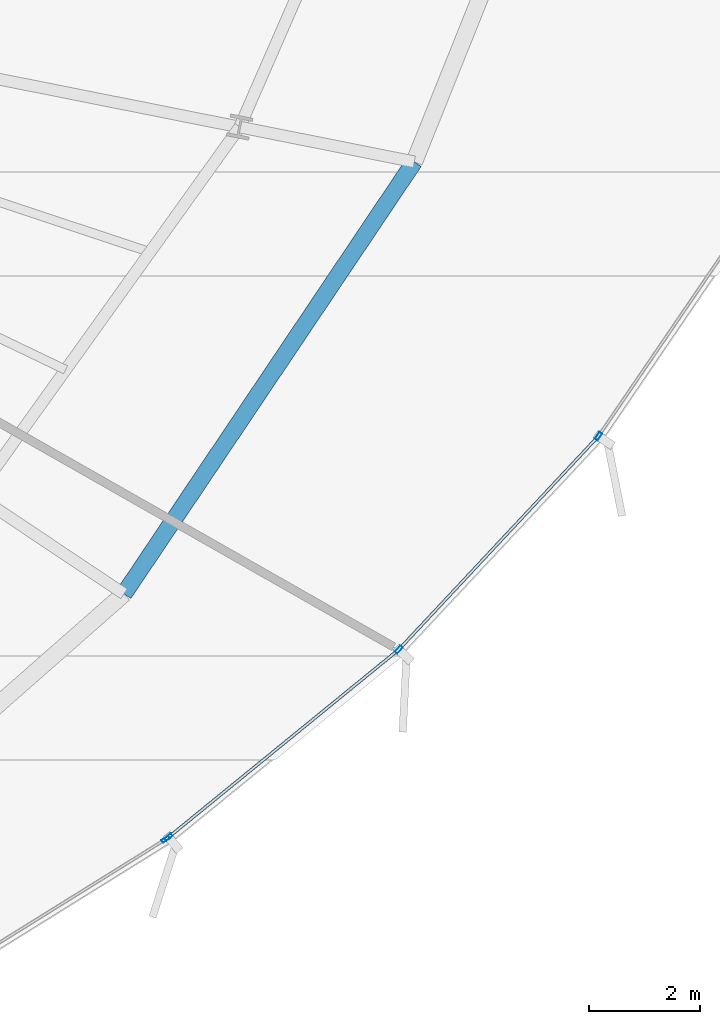
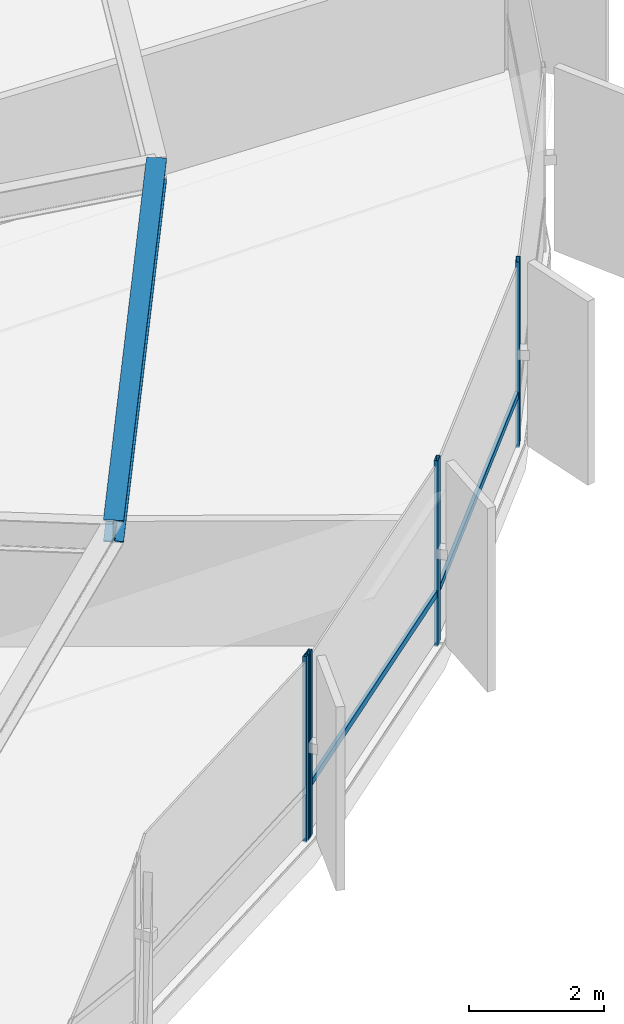
# One storey, part 13 of 35: 6 members, 1 beam, 2 elements without a shape of their own.
"""IFC4 building model written with IfcOpenShell, lengths in metres."""

from ifc_helpers import new_model, si_unit, direction, frame, origin, origin_2d, place, context, subcontext, project, spatial, hollow_rectangle, i_section, extrude, source, transform, mapped, material, layer, layer_set, material_profile, profile_set, type_object, element, aggregate, save


model = new_model("IFC4")

# Units and contexts
model_context = context("Model", 3, precision=1e-05, world=origin(), true_north=direction((0.0, 1.0)))
body_context = subcontext(model_context, "Body", "Model", "MODEL_VIEW")
ifc_project = project(units=[si_unit("LENGTHUNIT", "METRE"), si_unit("AREAUNIT", "SQUARE_METRE"), si_unit("VOLUMEUNIT", "CUBIC_METRE"), si_unit("PLANEANGLEUNIT", "RADIAN"), si_unit("MASSUNIT", "GRAM", prefix="KILO"), si_unit("THERMODYNAMICTEMPERATUREUNIT", "KELVIN")], contexts=[model_context])

# Site, building, storey
site_placement = place(None, origin())
site = spatial("IfcSite", under=ifc_project, at=site_placement, CompositionType="ELEMENT")
building_placement = place(site_placement, origin())
building = spatial("IfcBuilding", under=site, at=building_placement, Name="Kethvar Cultural Tower", CompositionType="ELEMENT")
storey_placement = place(building_placement, frame((0.0, 0.0, 85.60009765625)))
storey = spatial("IfcBuildingStorey", under=building, at=storey_placement, Name="L20", CompositionType="ELEMENT", Elevation=85.60009765625)

# Beam
ifc_material_1 = material(Name="Steel S355J2", Category="steel")
ifc_material_profile_1 = material_profile(ifc_material_1, i_section(OverallWidth=0.300048828125, OverallDepth=0.39990234375, WebThickness=0.013427734375, FlangeThickness=0.02392578125, FilletRadius=0.027099609375, at=origin_2d()), Name="Steel S355J2 — HEB400")
ifc_profile_set_1 = profile_set([ifc_material_profile_1], Name="Steel S355J2 — HEB400")
beam_type = type_object("IfcBeamType", Name="BM-SP400", PredefinedType="SPANDREL", material=ifc_profile_set_1)
shared_shape_1 = source(origin(), body_context, "Body", "SweptSolid", [
    extrude(i_section(OverallWidth=0.300048828125, OverallDepth=0.39990234375, WebThickness=0.013427734375, FlangeThickness=0.02392578125, FilletRadius=0.027099609375, at=origin_2d()), origin(), (0.0, 0.0, 1.0), 9.355224609375),
])
beam_placement = place(storey_placement, frame((65.559326171875, 15.265380859375, 3.14794921875), z_axis=(0.557731714622, 0.830021285573, 0.0), x_axis=(-0.830021285573, 0.557731714622, 0.0)))
element("IfcBeam", 1, at=beam_placement, inside=storey, type_object=beam_type, Name="L20 Perimeter Spandrel Beam SP-15", PredefinedType="SPANDREL", context=body_context, shape_type="MappedRepresentation", body=[
    mapped(shared_shape_1, transform((0.0, 0.0, 0.0), scale=1.0)),
])

# Curtain wall, member
ifc_material_2 = material(Name="Aluminium 6063-T6", Category="aluminium")
ifc_layer = layer(ifc_material_2, 0.179931640625, Name="Aluminium 6063-T6", Category="aluminium")
ifc_layer_set = layer_set([ifc_layer], Name="Aluminium 6063-T6 (180 mm)")
curtain_wall_type = type_object("IfcCurtainWallType", Name="CW-SYS-03-Z2", PredefinedType="NOTDEFINED", material=ifc_layer_set)
curtain_wall_1_placement = place(storey_placement, origin())
curtain_wall_1 = element("IfcCurtainWall", 2, at=curtain_wall_1_placement, inside=storey, type_object=curtain_wall_type, Name="L20 Curtain Wall Run 05", PredefinedType="NOTDEFINED")
ifc_material_profile_2 = material_profile(ifc_material_2, hollow_rectangle(XDim=0.06005859375, YDim=0.14990234375, WallThickness=0.0048828125, at=origin_2d()), Name="Aluminium 6063-T6 — RHS150x60x5")
ifc_profile_set_2 = profile_set([ifc_material_profile_2], Name="Aluminium 6063-T6 — RHS150x60x5")
member_type_1 = type_object("IfcMemberType", Name="CW-SYS-03-Z2-MUL", PredefinedType="MULLION", material=ifc_profile_set_2)
shared_shape_2 = source(origin(), body_context, "Body", "SweptSolid", [
    extrude(hollow_rectangle(XDim=0.06005859375, YDim=0.14990234375, WallThickness=0.0048828125, at=origin_2d()), origin(), (0.0, 0.0, 1.0), 3.349853515625),
])
member_1_placement = place(storey_placement, frame((66.309814453125, 10.85546875, 0.0), z_axis=(0.0, 0.0, 1.0), x_axis=(-0.52803820758, 0.849220614055, 0.0)))
member_1 = element("IfcMember", 3, at=member_1_placement, type_object=member_type_1, Name="CW-L20-R05 Mullion 7", PredefinedType="MULLION", context=body_context, shape_type="MappedRepresentation", body=[
    mapped(shared_shape_2, transform((0.0, 0.0, 0.0), scale=1.0)),
])
aggregate(curtain_wall_1, [member_1])

# Curtain wall, members
curtain_wall_2_placement = place(storey_placement, origin())
curtain_wall_2 = element("IfcCurtainWall", 4, at=curtain_wall_2_placement, inside=storey, type_object=curtain_wall_type, Name="L20 Curtain Wall Run 06", PredefinedType="NOTDEFINED")
member_2_placement = place(storey_placement, frame((66.361083984375, 10.89208984375, 0.0), z_axis=(0.0, 0.0, 1.0), x_axis=(-0.63179934419, 0.77513198146, 0.0)))
member_2 = element("IfcMember", 5, at=member_2_placement, type_object=member_type_1, Name="CW-L20-R06 Mullion 1", PredefinedType="MULLION", context=body_context, shape_type="MappedRepresentation", body=[
    mapped(shared_shape_2, transform((0.0, 0.0, 0.0), scale=1.0)),
])
member_3_placement = place(storey_placement, frame((70.49658203125, 14.261474609375, 0.0), z_axis=(0.0, 0.0, 1.0), x_axis=(-0.730329210101, 0.683095340984, 0.0)))
member_3 = element("IfcMember", 6, at=member_3_placement, type_object=member_type_1, Name="CW-L20-R06 Mullion 2", PredefinedType="MULLION", context=body_context, shape_type="MappedRepresentation", body=[
    mapped(shared_shape_2, transform((0.0, 0.0, 0.0), scale=1.0)),
])
member_4_placement = place(storey_placement, frame((74.087890625, 18.09912109375, 0.0), z_axis=(0.0, 0.0, 1.0), x_axis=(-0.826196635763, 0.563381859003, 0.0)))
member_4 = element("IfcMember", 7, at=member_4_placement, type_object=member_type_1, Name="CW-L20-R06 Mullion 3", PredefinedType="MULLION", context=body_context, shape_type="MappedRepresentation", body=[
    mapped(shared_shape_2, transform((0.0, 0.0, 0.0), scale=1.0)),
])
ifc_material_profile_3 = material_profile(ifc_material_2, hollow_rectangle(XDim=0.054931640625, YDim=0.1201171875, WallThickness=0.00390625, at=origin_2d()), Name="Aluminium 6063-T6 — RHS120x55x4")
ifc_profile_set_3 = profile_set([ifc_material_profile_3], Name="Aluminium 6063-T6 — RHS120x55x4")
member_type_2 = type_object("IfcMemberType", Name="CW-SYS-03-Z2-TRN", PredefinedType="USERDEFINED", material=ifc_profile_set_3)
shared_shape_3 = source(origin(), body_context, "Body", "SweptSolid", [
    extrude(hollow_rectangle(XDim=0.054931640625, YDim=0.1201171875, WallThickness=0.00390625, at=origin_2d()), origin(), (0.0, 0.0, 1.0), 5.30224609375),
])
member_5_placement = place(storey_placement, frame((66.3642578125, 10.894775390625, 0.949951171875), z_axis=(0.775153974769, 0.631772360428, 0.0), x_axis=(-0.631772360428, 0.775153974769, 0.0)))
member_5 = element("IfcMember", 8, at=member_5_placement, type_object=member_type_2, Name="CW-L20-R06 Transom 1", ObjectType="TRANSOM", PredefinedType="USERDEFINED", context=body_context, shape_type="MappedRepresentation", body=[
    mapped(shared_shape_3, transform((0.0, 0.0, 0.0), scale=1.0)),
])
shared_shape_4 = source(origin(), body_context, "Body", "SweptSolid", [
    extrude(hollow_rectangle(XDim=0.054931640625, YDim=0.1201171875, WallThickness=0.00390625, at=origin_2d()), origin(), (0.0, 0.0, 1.0), 5.187255859375),
])
member_6_placement = place(storey_placement, frame((70.52587890625, 14.29296875, 0.949951171875), z_axis=(0.683109356567, 0.73031610072, 0.0), x_axis=(-0.73031610072, 0.683109356567, 0.0)))
member_6 = element("IfcMember", 9, at=member_6_placement, type_object=member_type_2, Name="CW-L20-R06 Transom 2", ObjectType="TRANSOM", PredefinedType="USERDEFINED", context=body_context, shape_type="MappedRepresentation", body=[
    mapped(shared_shape_4, transform((0.0, 0.0, 0.0), scale=1.0)),
])
aggregate(curtain_wall_2, [member_2, member_3, member_4, member_5, member_6])

save(model, "model.ifc")
